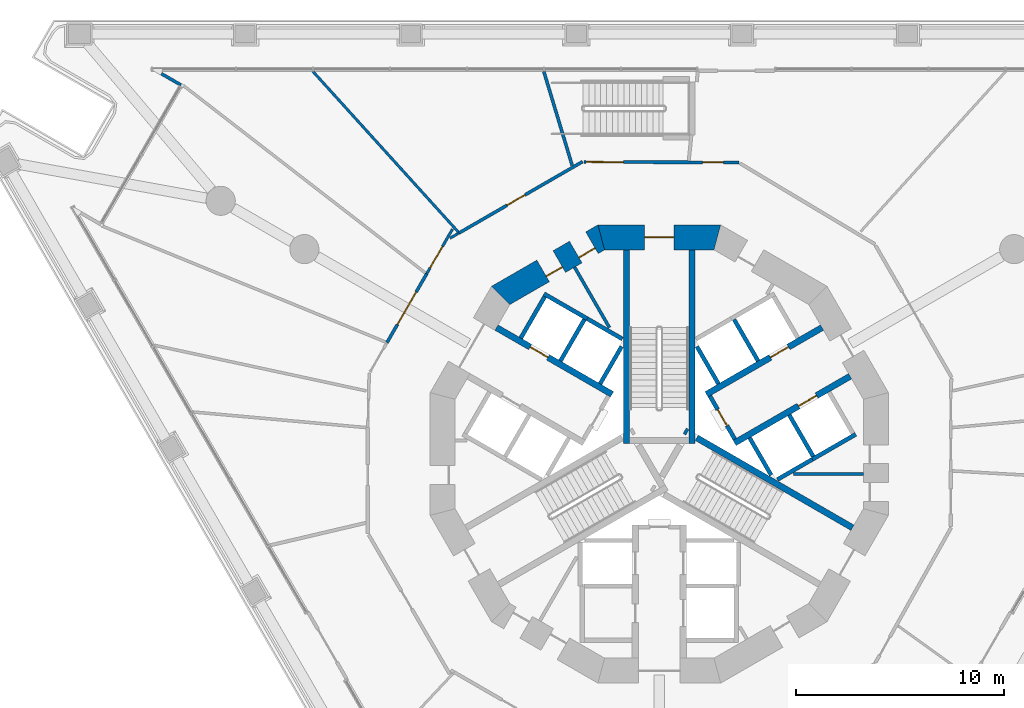
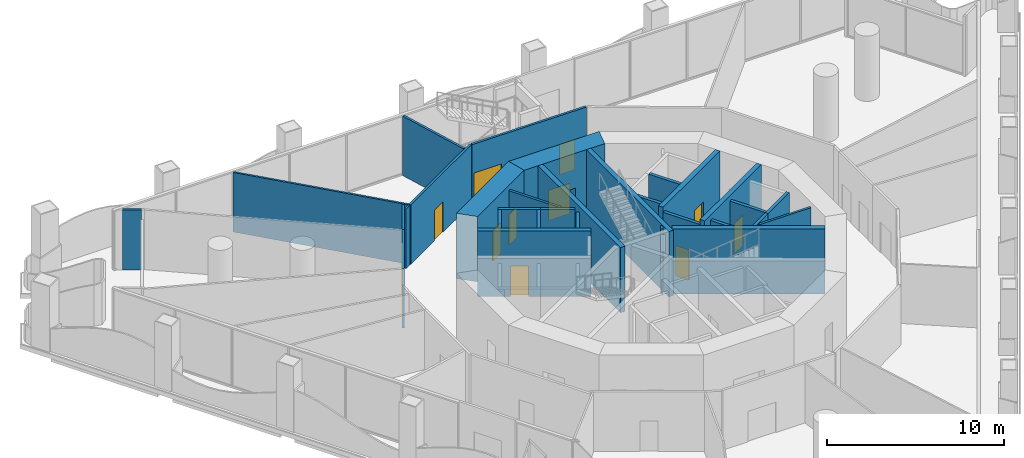
# One storey, part 12 of 22: 31 walls, 12 doors, 12 openings.
"""IFC4 building model written with IfcOpenShell, lengths in metres."""

from ifc_helpers import new_model, si_unit, direction, frame, frame_2d, origin, place, context, subcontext, project, spatial, polyline, rectangle, outline, extrude, material, layer, layer_set, type_object, element, fill, save


model = new_model("IFC4")

# Units and contexts
model_context = context("Model", 3, precision=1e-05, world=origin(), true_north=direction((0.0, 1.0)))
body_context = subcontext(model_context, "Body", "Model", "MODEL_VIEW")
ifc_project = project(units=[si_unit("LENGTHUNIT", "METRE"), si_unit("AREAUNIT", "SQUARE_METRE"), si_unit("VOLUMEUNIT", "CUBIC_METRE"), si_unit("PLANEANGLEUNIT", "RADIAN"), si_unit("MASSUNIT", "GRAM", prefix="KILO")], contexts=[model_context])

# Site, building, storey
site_placement = place(None, origin())
site = spatial("IfcSite", under=ifc_project, at=site_placement, CompositionType="ELEMENT")
building_placement = place(site_placement, origin())
building = spatial("IfcBuilding", under=site, at=building_placement, Name="Trine Commons Tower", CompositionType="ELEMENT")
storey_placement = place(building_placement, frame((0.0, 0.0, 22.5)))
storey = spatial("IfcBuildingStorey", under=building, at=storey_placement, Name="L04", CompositionType="ELEMENT", Elevation=22.5)

# Wall, opening, door
ifc_material_1 = material(Name="Plasterboard on steel stud", Category="steel")
ifc_layer_1 = layer(ifc_material_1, 0.14990234375)
ifc_layer_set_1 = layer_set([ifc_layer_1], Name="Plasterboard on steel stud")
wall_type_1 = type_object("IfcWallType", Name="Compartment wall 150 mm, EI 60", PredefinedType="PARTITIONING", material=ifc_layer_set_1)
wall_1_placement = place(storey_placement, frame((66.91259765625, 67.85498046875, 0.0), z_axis=(0.0, 0.0, 1.0), x_axis=(0.49999591573, 0.866027761826, 0.0)))
wall_1 = element("IfcWall", 1, at=wall_1_placement, inside=storey, type_object=wall_type_1, Name="Partition P4012", PredefinedType="PARTITIONING", context=body_context, shape_type="SweptSolid", body=[
    extrude(rectangle(XDim=3.8125, YDim=0.14990234375, at=frame_2d((1.90625, 0.0))), origin(), (0.0, 0.0, 1.0), 4.10009765625),
])
opening_1_placement = place(wall_1_placement, frame((1.00634765625, 0.0, 0.0)))
opening_1 = element("IfcOpeningElement", 2, at=opening_1_placement, cuts=wall_1, Name="Opening D-P405", PredefinedType="OPENING", context=body_context, shape_type="SweptSolid", body=[
    extrude(rectangle(XDim=1.800048828125, YDim=2.10009765625, at=frame_2d((0.89990234375, 1.050048828125))), frame((0.0, 0.0849609375, 0.0), z_axis=(0.0, -1.0, 0.0), x_axis=(1.0, 0.0, 0.0)), (0.0, 0.0, 1.0), 0.169921875),
])
ifc_material_2 = material(Name="Timber fire door set", Category="wood")
door_type_1 = type_object("IfcDoorType", Name="Double swing door 1800x2100, FD30S", OperationType="DOUBLE_DOOR_DOUBLE_SWING", PredefinedType="DOOR", material=ifc_material_2)
door_1_placement = place(opening_1_placement, origin())
door_1 = element("IfcDoor", 3, at=door_1_placement, inside=storey, type_object=door_type_1, Name="Door D-P405", OperationType="DOUBLE_DOOR_DOUBLE_SWING", OverallHeight=2.10009765625, OverallWidth=1.800048828125, PredefinedType="DOOR", context=body_context, shape_type="SweptSolid", body=[
    extrude(rectangle(XDim=1.800048828125, YDim=2.10009765625, at=frame_2d((0.89990234375, 1.050048828125))), frame((0.0, 0.02490234375, 0.0), z_axis=(0.0, -1.0, 0.0), x_axis=(1.0, 0.0, 0.0)), (0.0, 0.0, 1.0), 0.050048828125),
])
fill(opening_1, door_1)

wall_2_placement = place(storey_placement, frame((70.3798828125, 73.125, 0.0), z_axis=(0.0, 0.0, 1.0), x_axis=(0.866025291697, 0.50000019414, 0.0)))
wall_2 = element("IfcWall", 4, at=wall_2_placement, inside=storey, type_object=wall_type_1, Name="Partition P4017", PredefinedType="PARTITIONING", context=body_context, shape_type="SweptSolid", body=[
    extrude(rectangle(XDim=6.84814453125, YDim=0.14990234375, at=frame_2d((3.424072265625, 0.0))), origin(), (0.0, 0.0, 1.0), 4.10009765625),
])
opening_2_placement = place(wall_2_placement, frame((2.6533203125, 0.0, 0.0)))
opening_2 = element("IfcOpeningElement", 5, at=opening_2_placement, cuts=wall_2, Name="Opening D-P408", PredefinedType="OPENING", context=body_context, shape_type="SweptSolid", body=[
    extrude(rectangle(XDim=1.0, YDim=2.10009765625, at=frame_2d((0.5, 1.050048828125))), frame((0.0, 0.0849609375, 0.0), z_axis=(0.0, -1.0, 0.0), x_axis=(1.0, 0.0, 0.0)), (0.0, 0.0, 1.0), 0.169921875),
])
door_type_2 = type_object("IfcDoorType", Name="Single swing door 1000x2100, FD30S", OperationType="SINGLE_SWING_LEFT", PredefinedType="DOOR", material=ifc_material_2)
door_2_placement = place(opening_2_placement, origin())
door_2 = element("IfcDoor", 6, at=door_2_placement, inside=storey, type_object=door_type_2, Name="Door D-P408", OperationType="SINGLE_SWING_LEFT", OverallHeight=2.10009765625, OverallWidth=1.0, PredefinedType="DOOR", context=body_context, shape_type="SweptSolid", body=[
    extrude(rectangle(XDim=1.0, YDim=2.10009765625, at=frame_2d((0.5, 1.050048828125))), frame((0.0, 0.02490234375, 0.0), z_axis=(0.0, -1.0, 0.0), x_axis=(1.0, 0.0, 0.0)), (0.0, 0.0, 1.0), 0.050048828125),
])
fill(opening_2, door_2)

# Wall
wall_3_placement = place(storey_placement, frame((74.451416015625, 80.884521484375, 0.0), z_axis=(0.0, 0.0, 1.0), x_axis=(0.288924037908, -0.957352025286, 0.0)))
element("IfcWall", 7, at=wall_3_placement, inside=storey, type_object=wall_type_1, Name="Partition P4019", PredefinedType="PARTITIONING", context=body_context, shape_type="SweptSolid", body=[
    extrude(rectangle(XDim=4.716796875, YDim=0.14990234375, at=frame_2d((2.3583984375, 0.0))), origin(), (0.0, 0.0, 1.0), 4.10009765625),
])

# Wall, openings, doors
wall_4_placement = place(storey_placement, frame((76.379638671875, 76.537109375, 0.0), z_axis=(0.0, 0.0, 1.0), x_axis=(0.999994079663, -0.003441023083, 0.0)))
wall_4 = element("IfcWall", 8, at=wall_4_placement, inside=storey, type_object=wall_type_1, Name="Partition P4022", PredefinedType="PARTITIONING", context=body_context, shape_type="SweptSolid", body=[
    extrude(rectangle(XDim=7.44970703125, YDim=0.14990234375, at=frame_2d((3.724853515625, 0.0))), origin(), (0.0, 0.0, 1.0), 4.10009765625),
])
opening_3_placement = place(wall_4_placement, frame((0.10009765625, 0.0, 0.0)))
opening_3 = element("IfcOpeningElement", 9, at=opening_3_placement, cuts=wall_4, Name="Opening D-P411", PredefinedType="OPENING", context=body_context, shape_type="SweptSolid", body=[
    extrude(rectangle(XDim=1.800048828125, YDim=2.10009765625, at=frame_2d((0.89990234375, 1.050048828125))), frame((0.0, 0.0849609375, 0.0), z_axis=(0.0, -1.0, 0.0), x_axis=(1.0, 0.0, 0.0)), (0.0, 0.0, 1.0), 0.169921875),
])
opening_4_placement = place(wall_4_placement, frame((5.702392578125, 0.0, 0.0)))
opening_4 = element("IfcOpeningElement", 10, at=opening_4_placement, cuts=wall_4, Name="Opening D-P412", PredefinedType="OPENING", context=body_context, shape_type="SweptSolid", body=[
    extrude(rectangle(XDim=1.0, YDim=2.10009765625, at=frame_2d((0.5, 1.050048828125))), frame((0.0, 0.0849609375, 0.0), z_axis=(0.0, -1.0, 0.0), x_axis=(1.0, 0.0, 0.0)), (0.0, 0.0, 1.0), 0.169921875),
])
door_3_placement = place(opening_3_placement, origin())
door_3 = element("IfcDoor", 11, at=door_3_placement, inside=storey, type_object=door_type_1, Name="Door D-P411", OperationType="DOUBLE_DOOR_DOUBLE_SWING", OverallHeight=2.10009765625, OverallWidth=1.800048828125, PredefinedType="DOOR", context=body_context, shape_type="SweptSolid", body=[
    extrude(rectangle(XDim=1.800048828125, YDim=2.10009765625, at=frame_2d((0.89990234375, 1.050048828125))), frame((0.0, 0.02490234375, 0.0), z_axis=(0.0, -1.0, 0.0), x_axis=(1.0, 0.0, 0.0)), (0.0, 0.0, 1.0), 0.050048828125),
])
fill(opening_3, door_3)
door_4_placement = place(opening_4_placement, origin())
door_4 = element("IfcDoor", 12, at=door_4_placement, inside=storey, type_object=door_type_2, Name="Door D-P412", OperationType="SINGLE_SWING_LEFT", OverallHeight=2.10009765625, OverallWidth=1.0, PredefinedType="DOOR", context=body_context, shape_type="SweptSolid", body=[
    extrude(rectangle(XDim=1.0, YDim=2.10009765625, at=frame_2d((0.5, 1.050048828125))), frame((0.0, 0.02490234375, 0.0), z_axis=(0.0, -1.0, 0.0), x_axis=(1.0, 0.0, 0.0)), (0.0, 0.0, 1.0), 0.050048828125),
])
fill(opening_4, door_4)

# Walls
ifc_material_3 = material(Name="Plasterboard partition on steel studs", Category="steel")
ifc_layer_2 = layer(ifc_material_3, 0.14990234375)
ifc_layer_set_2 = layer_set([ifc_layer_2], Name="Plasterboard partition on steel studs")
wall_type_2 = type_object("IfcWallType", Name="Core room partition 150 mm, EI 60", PredefinedType="PARTITIONING", material=ifc_layer_set_2)
wall_5_placement = place(storey_placement, frame((75.928955078125, 71.47900390625, 0.0), z_axis=(0.0, 0.0, 1.0), x_axis=(0.499985139611, -0.866033983264, 0.0)))
element("IfcWall", 13, at=wall_5_placement, inside=storey, type_object=wall_type_2, Name="Core room partition L04", PredefinedType="PARTITIONING", context=body_context, shape_type="SweptSolid", body=[
    extrude(rectangle(XDim=3.35205078125, YDim=0.14990234375, at=frame_2d((1.676025390625, 0.0))), origin(), (0.0, 0.0, 1.0), 4.14990234375),
])
wall_6_placement = place(storey_placement, frame((89.81201171875, 61.537109375, 0.0), z_axis=(0.0, 0.0, 1.0), x_axis=(-1.0, 0.0, 0.0)))
element("IfcWall", 14, at=wall_6_placement, inside=storey, type_object=wall_type_2, Name="Core room partition L04", PredefinedType="PARTITIONING", context=body_context, shape_type="SweptSolid", body=[
    extrude(rectangle(XDim=3.35107421875, YDim=0.14990234375, at=frame_2d((1.675537109375, 0.0))), origin(), (0.0, 0.0, 1.0), 4.14990234375),
])
ifc_material_4 = material(Name="Aluminium-framed insulated wall panel", Category="aluminium")
ifc_layer_3 = layer(ifc_material_4, 0.14990234375)
ifc_layer_set_3 = layer_set([ifc_layer_3], Name="Aluminium-framed insulated wall panel")
wall_type_3 = type_object("IfcWallType", Name="Glazed frame wall 150, EI 60", PredefinedType="SOLIDWALL", material=ifc_layer_set_3)
wall_7_placement = place(storey_placement, frame((57.104248046875, 80.181884765625, 0.0), z_axis=(0.0, 0.0, 1.0), x_axis=(-0.86606770004, 0.49992673358, 0.0)))
element("IfcWall", 15, at=wall_7_placement, inside=storey, type_object=wall_type_3, Name="Glazed frame wall L04 R3", PredefinedType="SOLIDWALL", context=body_context, shape_type="SweptSolid", body=[
    extrude(outline(polyline([(0.110107421875, 0.074951171875), (0.110107421875, -0.074951171875), (1.19580078125, -0.074951171875), (1.19580078125, 0.074951171875), (0.110107421875, 0.074951171875)])), origin(), (0.0, 0.0, 1.0), 4.14990234375),
])

# Wall, opening, door
ifc_material_5 = material(Name="Fire-rated gypsum shaft wall system")
ifc_layer_4 = layer(ifc_material_5, 0.199951171875)
ifc_layer_set_4 = layer_set([ifc_layer_4], Name="Fire-rated gypsum shaft wall system")
wall_type_4 = type_object("IfcWallType", Name="Lobby end wall 200 mm, EI 120", PredefinedType="PARTITIONING", material=ifc_layer_set_4)
wall_8_placement = place(storey_placement, frame((83.631103515625, 63.2109375, 0.0), z_axis=(0.0, 0.0, 1.0), x_axis=(-0.50012165622, 0.865955154139, 0.0)))
wall_8 = element("IfcWall", 16, at=wall_8_placement, inside=storey, type_object=wall_type_4, Name="Lobby end wall L04", PredefinedType="PARTITIONING", context=body_context, shape_type="SweptSolid", body=[
    extrude(rectangle(XDim=2.39990234375, YDim=0.199951171875, at=frame_2d((1.199951171875, 0.0))), origin(), (0.0, 0.0, 1.0), 4.14990234375),
])
opening_5_placement = place(wall_8_placement, frame((0.749755859375, 0.0, 0.0)))
opening_5 = element("IfcOpeningElement", 17, at=opening_5_placement, cuts=wall_8, Name="Opening K07.05", PredefinedType="OPENING", context=body_context, shape_type="SweptSolid", body=[
    extrude(rectangle(XDim=0.89990234375, YDim=2.10009765625, at=frame_2d((0.449951171875, 1.050048828125))), frame((0.0, 0.10986328125, 0.0), z_axis=(0.0, -1.0, 0.0), x_axis=(1.0, 0.0, 0.0)), (0.0, 0.0, 1.0), 0.219970703125),
])
ifc_material_6 = material(Name="Steel door leaf, fire-rated", Category="steel")
door_type_3 = type_object("IfcDoorType", Name="Riser access door, single leaf 900 x 2100, FD60", OperationType="SINGLE_SWING_LEFT", PredefinedType="DOOR", material=ifc_material_6)
door_5_placement = place(opening_5_placement, frame((0.89990234375, 0.0, 0.0), z_axis=(0.0, 0.0, 1.0), x_axis=(-1.0, 0.0, 0.0)))
door_5 = element("IfcDoor", 18, at=door_5_placement, inside=storey, type_object=door_type_3, Name="Riser door, Electrical riser L04", OperationType="SINGLE_SWING_LEFT", OverallHeight=2.10009765625, OverallWidth=0.89990234375, PredefinedType="DOOR", context=body_context, shape_type="SweptSolid", body=[
    extrude(rectangle(XDim=0.89990234375, YDim=2.10009765625, at=frame_2d((0.449951171875, 1.050048828125))), frame((0.0, 0.02490234375, 0.0), z_axis=(0.0, -1.0, 0.0), x_axis=(1.0, 0.0, 0.0)), (0.0, 0.0, 1.0), 0.050048828125),
])
fill(opening_5, door_5)

ifc_material_7 = material(Name="Concrete C80/95", Category="concrete")
ifc_layer_5 = layer(ifc_material_7, 1.199951171875)
ifc_layer_set_5 = layer_set([ifc_layer_5], Name="Concrete C80/95")
wall_type_5 = type_object("IfcWallType", Name="RC shear wall 1200 mm, C80/95", PredefinedType="SHEAR", material=ifc_layer_set_5)
wall_9_placement = place(storey_placement, frame((82.950439453125, 72.91162109375, 0.0), z_axis=(0.0, 0.0, 1.0), x_axis=(-1.0, 0.0, 0.0)))
wall_9 = element("IfcWall", 19, at=wall_9_placement, inside=storey, type_object=wall_type_5, Name="Core wall CWA-04 L04", PredefinedType="SHEAR", context=body_context, shape_type="SweptSolid", body=[
    extrude(outline(polyline([(0.0, -0.60009765625), (5.90087890625, -0.60009765625), (5.57958984375, 0.60009765625), (0.321533203125, 0.60009765625), (0.0, -0.60009765625)])), origin(), (0.0, 0.0, 1.0), 4.5),
])
opening_6_placement = place(wall_9_placement, frame((2.25048828125, 0.0, 0.0)))
opening_6 = element("IfcOpeningElement", 20, at=opening_6_placement, cuts=wall_9, Name="Opening K07.01", PredefinedType="OPENING", context=body_context, shape_type="SweptSolid", body=[
    extrude(rectangle(XDim=1.39990234375, YDim=2.10009765625, at=frame_2d((0.699951171875, 1.050048828125))), frame((0.0, 0.60986328125, 0.0), z_axis=(0.0, -1.0, 0.0), x_axis=(1.0, 0.0, 0.0)), (0.0, 0.0, 1.0), 1.219970703125),
])
ifc_material_8 = material(Name="Steel door leaves, fire-rated", Category="steel")
door_type_4 = type_object("IfcDoorType", Name="Stair door, double leaf 1400 x 2100, FD90", OperationType="DOUBLE_DOOR_SINGLE_SWING", PredefinedType="DOOR", material=ifc_material_8)
door_6_placement = place(opening_6_placement, origin())
door_6 = element("IfcDoor", 21, at=door_6_placement, inside=storey, type_object=door_type_4, Name="Stair door to Exit stair ST1A L04", OperationType="DOUBLE_DOOR_SINGLE_SWING", OverallHeight=2.10009765625, OverallWidth=1.39990234375, PredefinedType="DOOR", context=body_context, shape_type="SweptSolid", body=[
    extrude(rectangle(XDim=1.39990234375, YDim=2.10009765625, at=frame_2d((0.699951171875, 1.050048828125))), frame((0.0, 0.02490234375, 0.0), z_axis=(0.0, -1.0, 0.0), x_axis=(1.0, 0.0, 0.0)), (0.0, 0.0, 1.0), 0.050048828125),
])
fill(opening_6, door_6)

# Wall, openings, doors
wall_10_placement = place(storey_placement, frame((77.349609375, 72.991943359375, 0.0), z_axis=(0.0, 0.0, 1.0), x_axis=(-0.866037463336, -0.499979111662, 0.0)))
wall_10 = element("IfcWall", 22, at=wall_10_placement, inside=storey, type_object=wall_type_5, Name="Core wall CWA-05 L04", PredefinedType="SHEAR", context=body_context, shape_type="SweptSolid", body=[
    extrude(outline(polyline([(0.0, -0.60009765625), (5.901123046875, -0.60009765625), (5.57958984375, 0.60009765625), (0.321533203125, 0.60009765625), (0.0, -0.60009765625)])), origin(), (0.0, 0.0, 1.0), 4.5),
])
opening_7_placement = place(wall_10_placement, frame((0.6748046875, 0.0, 0.0)))
opening_7 = element("IfcOpeningElement", 23, at=opening_7_placement, cuts=wall_10, Name="Opening K07.12", PredefinedType="OPENING", context=body_context, shape_type="SweptSolid", body=[
    extrude(rectangle(XDim=0.89990234375, YDim=2.10009765625, at=frame_2d((0.449951171875, 1.050048828125))), frame((0.0, 0.60986328125, 0.0), z_axis=(0.0, -1.0, 0.0), x_axis=(1.0, 0.0, 0.0)), (0.0, 0.0, 1.0), 1.219970703125),
])
opening_8_placement = place(wall_10_placement, frame((2.48681640625, 0.0, 0.0)))
opening_8 = element("IfcOpeningElement", 24, at=opening_8_placement, cuts=wall_10, Name="Opening K07.13", PredefinedType="OPENING", context=body_context, shape_type="SweptSolid", body=[
    extrude(rectangle(XDim=0.89990234375, YDim=2.10009765625, at=frame_2d((0.449951171875, 1.050048828125))), frame((0.0, 0.60986328125, 0.0), z_axis=(0.0, -1.0, 0.0), x_axis=(1.0, 0.0, 0.0)), (0.0, 0.0, 1.0), 1.219970703125),
])
door_type_5 = type_object("IfcDoorType", Name="Core room door, single leaf 900 x 2100, FD30S", OperationType="SINGLE_SWING_LEFT", PredefinedType="DOOR", material=ifc_material_6)
door_7_placement = place(opening_7_placement, origin())
door_7 = element("IfcDoor", 25, at=door_7_placement, inside=storey, type_object=door_type_5, Name="Door to Pantry L04", OperationType="SINGLE_SWING_LEFT", OverallHeight=2.10009765625, OverallWidth=0.89990234375, PredefinedType="DOOR", context=body_context, shape_type="SweptSolid", body=[
    extrude(rectangle(XDim=0.89990234375, YDim=2.10009765625, at=frame_2d((0.449951171875, 1.050048828125))), frame((0.0, 0.3251953125, 0.0), z_axis=(0.0, -1.0, 0.0), x_axis=(1.0, 0.0, 0.0)), (0.0, 0.0, 1.0), 0.050048828125),
])
fill(opening_7, door_7)
door_8_placement = place(opening_8_placement, origin())
door_8 = element("IfcDoor", 26, at=door_8_placement, inside=storey, type_object=door_type_5, Name="Door to Comms room L04", OperationType="SINGLE_SWING_LEFT", OverallHeight=2.10009765625, OverallWidth=0.89990234375, PredefinedType="DOOR", context=body_context, shape_type="SweptSolid", body=[
    extrude(rectangle(XDim=0.89990234375, YDim=2.10009765625, at=frame_2d((0.449951171875, 1.050048828125))), frame((0.0, 0.3251953125, 0.0), z_axis=(0.0, -1.0, 0.0), x_axis=(1.0, 0.0, 0.0)), (0.0, 0.0, 1.0), 0.050048828125),
])
fill(opening_8, door_8)

# Wall, opening, door
ifc_layer_6 = layer(ifc_material_7, 0.300048828125)
ifc_layer_set_6 = layer_set([ifc_layer_6], Name="Concrete C80/95")
wall_type_6 = type_object("IfcWallType", Name="RC shear wall 300 mm, C80/95", PredefinedType="SHEAR", material=ifc_layer_set_6)
wall_11_placement = place(storey_placement, frame((77.73095703125, 65.368896484375, 0.0), z_axis=(0.0, 0.0, 1.0), x_axis=(-0.866022631842, 0.500004801114, 0.0)))
wall_11 = element("IfcWall", 27, at=wall_11_placement, inside=storey, type_object=wall_type_6, Name="Core cross wall SWA-02 L04", PredefinedType="SHEAR", context=body_context, shape_type="SweptSolid", body=[
    extrude(rectangle(XDim=6.412109375, YDim=0.300048828125, at=frame_2d((3.2060546875, 0.0))), origin(), (0.0, 0.0, 1.0), 4.5),
])
opening_9_placement = place(wall_11_placement, frame((3.55029296875, 0.0, 0.0)))
opening_9 = element("IfcOpeningElement", 28, at=opening_9_placement, cuts=wall_11, Name="Opening LD4", PredefinedType="OPENING", context=body_context, shape_type="SweptSolid", body=[
    extrude(rectangle(XDim=1.0, YDim=2.10009765625, at=frame_2d((0.5, 1.050048828125))), frame((0.0, 0.159912109375, 0.0), z_axis=(0.0, -1.0, 0.0), x_axis=(1.0, 0.0, 0.0)), (0.0, 0.0, 1.0), 0.320068359375),
])
ifc_material_9 = material(Name="Stainless steel sliding door leaves", Category="steel")
door_type_6 = type_object("IfcDoorType", Name="Lift landing door, centre-opening sliding 1000 x 2100, FD90", OperationType="DOUBLE_DOOR_SLIDING", PredefinedType="DOOR", material=ifc_material_9)
door_9_placement = place(opening_9_placement, origin())
door_9 = element("IfcDoor", 29, at=door_9_placement, inside=storey, type_object=door_type_6, Name="Lift landing door LR4 L04", OperationType="DOUBLE_DOOR_SLIDING", OverallHeight=2.10009765625, OverallWidth=1.0, PredefinedType="DOOR", context=body_context, shape_type="SweptSolid", body=[
    extrude(rectangle(XDim=1.0, YDim=2.10009765625, at=frame_2d((0.5, 1.050048828125))), frame((0.0, 0.02490234375, 0.0), z_axis=(0.0, -1.0, 0.0), x_axis=(1.0, 0.0, 0.0)), (0.0, 0.0, 1.0), 0.050048828125),
])
fill(opening_9, door_9)

wall_12_placement = place(storey_placement, frame((82.26904296875, 65.368896484375, 0.0), z_axis=(0.0, 0.0, 1.0), x_axis=(0.866022631842, 0.500004801114, 0.0)))
wall_12 = element("IfcWall", 30, at=wall_12_placement, inside=storey, type_object=wall_type_6, Name="Core cross wall SWA-05 L04", PredefinedType="SHEAR", context=body_context, shape_type="SweptSolid", body=[
    extrude(rectangle(XDim=6.412109375, YDim=0.300048828125, at=frame_2d((3.2060546875, 0.0))), origin(), (0.0, 0.0, 1.0), 4.5),
])
opening_10_placement = place(wall_12_placement, frame((3.55029296875, 0.0, 0.0)))
opening_10 = element("IfcOpeningElement", 31, at=opening_10_placement, cuts=wall_12, Name="Opening LD1", PredefinedType="OPENING", context=body_context, shape_type="SweptSolid", body=[
    extrude(rectangle(XDim=1.0, YDim=2.10009765625, at=frame_2d((0.5, 1.050048828125))), frame((0.0, 0.159912109375, 0.0), z_axis=(0.0, -1.0, 0.0), x_axis=(1.0, 0.0, 0.0)), (0.0, 0.0, 1.0), 0.320068359375),
])
door_10_placement = place(opening_10_placement, origin())
door_10 = element("IfcDoor", 32, at=door_10_placement, inside=storey, type_object=door_type_6, Name="Lift landing door LR1 L04", OperationType="DOUBLE_DOOR_SLIDING", OverallHeight=2.10009765625, OverallWidth=1.0, PredefinedType="DOOR", context=body_context, shape_type="SweptSolid", body=[
    extrude(rectangle(XDim=1.0, YDim=2.10009765625, at=frame_2d((0.5, 1.050048828125))), frame((0.0, 0.02490234375, 0.0), z_axis=(0.0, -1.0, 0.0), x_axis=(1.0, 0.0, 0.0)), (0.0, 0.0, 1.0), 0.050048828125),
])
fill(opening_10, door_10)

wall_13_placement = place(storey_placement, frame((83.618896484375, 63.031005859375, 0.0), z_axis=(0.0, 0.0, 1.0), x_axis=(0.866032150378, 0.499988314375, 0.0)))
wall_13 = element("IfcWall", 33, at=wall_13_placement, inside=storey, type_object=wall_type_6, Name="Core cross wall SWA-06 L04", PredefinedType="SHEAR", context=body_context, shape_type="SweptSolid", body=[
    extrude(rectangle(XDim=6.412353515625, YDim=0.300048828125, at=frame_2d((3.2060546875, 0.0))), origin(), (0.0, 0.0, 1.0), 4.5),
])
opening_11_placement = place(wall_13_placement, frame((3.55029296875, 0.0, 0.0)))
opening_11 = element("IfcOpeningElement", 34, at=opening_11_placement, cuts=wall_13, Name="Opening LD2", PredefinedType="OPENING", context=body_context, shape_type="SweptSolid", body=[
    extrude(rectangle(XDim=1.0, YDim=2.10009765625, at=frame_2d((0.5, 1.050048828125))), frame((0.0, 0.159912109375, 0.0), z_axis=(0.0, -1.0, 0.0), x_axis=(1.0, 0.0, 0.0)), (0.0, 0.0, 1.0), 0.320068359375),
])
door_11_placement = place(opening_11_placement, origin())
door_11 = element("IfcDoor", 35, at=door_11_placement, inside=storey, type_object=door_type_6, Name="Lift landing door LR2 L04", OperationType="DOUBLE_DOOR_SLIDING", OverallHeight=2.10009765625, OverallWidth=1.0, PredefinedType="DOOR", context=body_context, shape_type="SweptSolid", body=[
    extrude(rectangle(XDim=1.0, YDim=2.10009765625, at=frame_2d((0.5, 1.050048828125))), frame((0.0, 0.02490234375, 0.0), z_axis=(0.0, -1.0, 0.0), x_axis=(1.0, 0.0, 0.0)), (0.0, 0.0, 1.0), 0.050048828125),
])
fill(opening_11, door_11)

# Walls
wall_14_placement = place(storey_placement, frame((78.425048828125, 63.0009765625, 0.0), z_axis=(0.0, 0.0, 1.0), x_axis=(0.0, 1.0, 0.0)))
element("IfcWall", 36, at=wall_14_placement, inside=storey, type_object=wall_type_6, Name="Core cross wall SWA-08 L04", PredefinedType="SHEAR", context=body_context, shape_type="SweptSolid", body=[
    extrude(rectangle(XDim=9.31103515625, YDim=0.300048828125, at=frame_2d((4.655517578125, 0.0))), origin(), (0.0, 0.0, 1.0), 4.5),
])
wall_15_placement = place(storey_placement, frame((81.220947265625, 63.614013671875, 0.0), z_axis=(0.0, 0.0, 1.0), x_axis=(0.867737973955, -0.497021939713, 0.0)))
element("IfcWall", 37, at=wall_15_placement, inside=storey, type_object=wall_type_6, Name="Core cross wall SWA-15 L04", PredefinedType="SHEAR", context=body_context, shape_type="SweptSolid", body=[
    extrude(rectangle(XDim=0.14892578125, YDim=0.300048828125, at=frame_2d((0.074462890625, 0.0))), origin(), (0.0, 0.0, 1.0), 4.5),
])
wall_16_placement = place(storey_placement, frame((81.574951171875, 63.0009765625, 0.0), z_axis=(0.0, 0.0, 1.0), x_axis=(0.0, 1.0, 0.0)))
element("IfcWall", 38, at=wall_16_placement, inside=storey, type_object=wall_type_6, Name="Core cross wall SWA-17 L04", PredefinedType="SHEAR", context=body_context, shape_type="SweptSolid", body=[
    extrude(rectangle(XDim=9.31103515625, YDim=0.300048828125, at=frame_2d((4.655517578125, 0.0))), origin(), (0.0, 0.0, 1.0), 4.5),
])
wall_17_placement = place(storey_placement, frame((81.800048828125, 63.280029296875, 0.0), z_axis=(0.0, 0.0, 1.0), x_axis=(0.865965399159, -0.500103916661, 0.0)))
element("IfcWall", 39, at=wall_17_placement, inside=storey, type_object=wall_type_6, Name="Core cross wall SWA-18 L04", PredefinedType="SHEAR", context=body_context, shape_type="SweptSolid", body=[
    extrude(rectangle(XDim=8.642333984375, YDim=0.300048828125, at=frame_2d((4.3212890625, 0.0))), origin(), (0.0, 0.0, 1.0), 4.5),
])
ifc_layer_7 = layer(ifc_material_5, 0.199951171875)
ifc_layer_set_7 = layer_set([ifc_layer_7], Name="Fire-rated gypsum shaft wall system")
wall_type_7 = type_object("IfcWallType", Name="Shaft wall 200 mm, EI 120", PredefinedType="PARTITIONING", material=ifc_layer_set_7)
wall_18_placement = place(storey_placement, frame((73.344970703125, 68.073974609375, 0.0), z_axis=(0.0, 0.0, 1.0), x_axis=(0.500215680983, 0.865900844496, 0.0)))
element("IfcWall", 40, at=wall_18_placement, inside=storey, type_object=wall_type_7, Name="Shaft wall L04", PredefinedType="PARTITIONING", context=body_context, shape_type="SweptSolid", body=[
    extrude(rectangle(XDim=2.29931640625, YDim=0.199951171875, at=frame_2d((1.149658203125, 0.0))), origin(), (0.0, 0.0, 1.0), 4.14990234375),
])
wall_19_placement = place(storey_placement, frame((75.2509765625, 66.97412109375, 0.0), z_axis=(0.0, 0.0, 1.0), x_axis=(0.500136062276, 0.86594683394, 0.0)))
element("IfcWall", 41, at=wall_19_placement, inside=storey, type_object=wall_type_7, Name="Shaft wall L04", PredefinedType="PARTITIONING", context=body_context, shape_type="SweptSolid", body=[
    extrude(rectangle(XDim=2.299072265625, YDim=0.199951171875, at=frame_2d((1.1494140625, 0.0))), origin(), (0.0, 0.0, 1.0), 4.14990234375),
])
wall_20_placement = place(storey_placement, frame((76.5380859375, 69.001953125, 0.0), z_axis=(0.0, 0.0, 1.0), x_axis=(-0.866202511239, 0.499693115345, 0.0)))
element("IfcWall", 42, at=wall_20_placement, inside=storey, type_object=wall_type_7, Name="Shaft wall L04", PredefinedType="PARTITIONING", context=body_context, shape_type="SweptSolid", body=[
    extrude(rectangle(XDim=2.4013671875, YDim=0.199951171875, at=frame_2d((1.20068359375, 0.0))), origin(), (0.0, 0.0, 1.0), 4.14990234375),
])
wall_21_placement = place(storey_placement, frame((77.156005859375, 65.8740234375, 0.0), z_axis=(0.0, 0.0, 1.0), x_axis=(0.499865770674, 0.866102887253, 0.0)))
element("IfcWall", 43, at=wall_21_placement, inside=storey, type_object=wall_type_7, Name="Shaft wall L04", PredefinedType="PARTITIONING", context=body_context, shape_type="SweptSolid", body=[
    extrude(rectangle(XDim=2.064453125, YDim=0.199951171875, at=frame_2d((1.0322265625, 0.0))), origin(), (0.0, 0.0, 1.0), 4.14990234375),
])
wall_22_placement = place(storey_placement, frame((78.22509765625, 68.028076171875, 0.0), z_axis=(0.0, 0.0, 1.0), x_axis=(-0.866052014814, 0.499953905513, 0.0)))
element("IfcWall", 44, at=wall_22_placement, inside=storey, type_object=wall_type_7, Name="Shaft wall L04", PredefinedType="PARTITIONING", context=body_context, shape_type="SweptSolid", body=[
    extrude(rectangle(XDim=1.947998046875, YDim=0.199951171875, at=frame_2d((0.97412109375, 0.0))), origin(), (0.0, 0.0, 1.0), 4.14990234375),
])
wall_23_placement = place(storey_placement, frame((82.843994140625, 65.8740234375, 0.0), z_axis=(0.0, 0.0, 1.0), x_axis=(-0.499865770674, 0.866102887253, 0.0)))
element("IfcWall", 45, at=wall_23_placement, inside=storey, type_object=wall_type_7, Name="Shaft wall L04", PredefinedType="PARTITIONING", context=body_context, shape_type="SweptSolid", body=[
    extrude(rectangle(XDim=2.064453125, YDim=0.199951171875, at=frame_2d((1.0322265625, 0.0))), origin(), (0.0, 0.0, 1.0), 4.14990234375),
])
wall_24_placement = place(storey_placement, frame((84.343994140625, 63.27587890625, 0.0), z_axis=(0.0, 0.0, 1.0), x_axis=(0.500271688072, -0.86586848777, 0.0)))
element("IfcWall", 46, at=wall_24_placement, inside=storey, type_object=wall_type_7, Name="Shaft wall L04", PredefinedType="PARTITIONING", context=body_context, shape_type="SweptSolid", body=[
    extrude(rectangle(XDim=2.064697265625, YDim=0.199951171875, at=frame_2d((1.0322265625, 0.0))), origin(), (0.0, 0.0, 1.0), 4.14990234375),
])
wall_25_placement = place(storey_placement, frame((84.7490234375, 66.97412109375, 0.0), z_axis=(0.0, 0.0, 1.0), x_axis=(-0.500136062276, 0.86594683394, 0.0)))
element("IfcWall", 47, at=wall_25_placement, inside=storey, type_object=wall_type_7, Name="Shaft wall L04", PredefinedType="PARTITIONING", context=body_context, shape_type="SweptSolid", body=[
    extrude(rectangle(XDim=2.299072265625, YDim=0.199951171875, at=frame_2d((1.1494140625, 0.0))), origin(), (0.0, 0.0, 1.0), 4.14990234375),
])
wall_26_placement = place(storey_placement, frame((85.675048828125, 61.27294921875, 0.0), z_axis=(0.0, 0.0, 1.0), x_axis=(0.865780634835, 0.500423712812, 0.0)))
element("IfcWall", 48, at=wall_26_placement, inside=storey, type_object=wall_type_7, Name="Shaft wall L04", PredefinedType="PARTITIONING", context=body_context, shape_type="SweptSolid", body=[
    extrude(rectangle(XDim=1.948486328125, YDim=0.199951171875, at=frame_2d((0.97412109375, 0.0))), origin(), (0.0, 0.0, 1.0), 4.14990234375),
])
wall_27_placement = place(storey_placement, frame((86.2490234375, 64.3759765625, 0.0), z_axis=(0.0, 0.0, 1.0), x_axis=(0.500136062276, -0.86594683394, 0.0)))
element("IfcWall", 49, at=wall_27_placement, inside=storey, type_object=wall_type_7, Name="Shaft wall L04", PredefinedType="PARTITIONING", context=body_context, shape_type="SweptSolid", body=[
    extrude(rectangle(XDim=2.299072265625, YDim=0.199951171875, at=frame_2d((1.1494140625, 0.0))), origin(), (0.0, 0.0, 1.0), 4.14990234375),
])
wall_28_placement = place(storey_placement, frame((87.362060546875, 62.248046875, 0.0), z_axis=(0.0, 0.0, 1.0), x_axis=(0.866177122335, 0.499737123639, 0.0)))
element("IfcWall", 50, at=wall_28_placement, inside=storey, type_object=wall_type_7, Name="Shaft wall L04", PredefinedType="PARTITIONING", context=body_context, shape_type="SweptSolid", body=[
    extrude(rectangle(XDim=2.401123046875, YDim=0.199951171875, at=frame_2d((1.20068359375, 0.0))), origin(), (0.0, 0.0, 1.0), 4.14990234375),
])
ifc_layer_8 = layer(ifc_material_1, 0.125)
ifc_layer_set_8 = layer_set([ifc_layer_8], Name="Plasterboard on steel stud")
wall_type_8 = type_object("IfcWallType", Name="Wet wall 125 mm stud, not rated", PredefinedType="PARTITIONING", material=ifc_layer_set_8)
wall_29_placement = place(storey_placement, frame((63.354736328125, 80.884521484375, 0.0), z_axis=(0.0, 0.0, 1.0), x_axis=(0.671180407759, -0.741294044385, 0.0)))
element("IfcWall", 51, at=wall_29_placement, inside=storey, type_object=wall_type_8, Name="Partition P4006", PredefinedType="PARTITIONING", context=body_context, shape_type="SweptSolid", body=[
    extrude(rectangle(XDim=10.52978515625, YDim=0.125, at=frame_2d((5.264892578125, 0.0))), origin(), (0.0, 0.0, 1.0), 4.10009765625),
])

# Wall, opening, door
wall_30_placement = place(storey_placement, frame((68.818603515625, 71.15625, 0.0), z_axis=(0.0, 0.0, 1.0), x_axis=(0.499995303914, 0.866028115054, 0.0)))
wall_30 = element("IfcWall", 52, at=wall_30_placement, inside=storey, type_object=wall_type_8, Name="Partition P4013", PredefinedType="PARTITIONING", context=body_context, shape_type="SweptSolid", body=[
    extrude(rectangle(XDim=2.478515625, YDim=0.125, at=frame_2d((1.2392578125, 0.0))), origin(), (0.0, 0.0, 1.0), 4.10009765625),
])
opening_12_placement = place(wall_30_placement, frame((0.32421875, 0.0, 0.0)))
opening_12 = element("IfcOpeningElement", 53, at=opening_12_placement, cuts=wall_30, Name="Opening D-P406", PredefinedType="OPENING", context=body_context, shape_type="SweptSolid", body=[
    extrude(rectangle(XDim=1.199951171875, YDim=2.10009765625, at=frame_2d((0.60009765625, 1.050048828125))), frame((0.0, 0.072509765625, 0.0), z_axis=(0.0, -1.0, 0.0), x_axis=(1.0, 0.0, 0.0)), (0.0, 0.0, 1.0), 0.14501953125),
])
ifc_material_10 = material(Name="Painted timber", Category="wood")
door_type_7 = type_object("IfcDoorType", Name="Single swing door 1200x2100, not rated", OperationType="SINGLE_SWING_LEFT", PredefinedType="DOOR", material=ifc_material_10)
door_12_placement = place(opening_12_placement, origin())
door_12 = element("IfcDoor", 54, at=door_12_placement, inside=storey, type_object=door_type_7, Name="Door D-P406", OperationType="SINGLE_SWING_LEFT", OverallHeight=2.10009765625, OverallWidth=1.199951171875, PredefinedType="DOOR", context=body_context, shape_type="SweptSolid", body=[
    extrude(rectangle(XDim=1.199951171875, YDim=2.10009765625, at=frame_2d((0.60009765625, 1.050048828125))), frame((0.0, 0.02490234375, 0.0), z_axis=(0.0, -1.0, 0.0), x_axis=(1.0, 0.0, 0.0)), (0.0, 0.0, 1.0), 0.050048828125),
])
fill(opening_12, door_12)

# Wall
wall_31_placement = place(storey_placement, frame((69.94482421875, 72.873779296875, 0.0), z_axis=(0.0, 0.0, 1.0), x_axis=(0.866080460733, 0.49990462644, 0.0)))
element("IfcWall", 55, at=wall_31_placement, inside=storey, type_object=wall_type_8, Name="Partition P4015", PredefinedType="PARTITIONING", context=body_context, shape_type="SweptSolid", body=[
    extrude(rectangle(XDim=0.42529296875, YDim=0.125, at=frame_2d((0.212646484375, 0.0))), origin(), (0.0, 0.0, 1.0), 4.10009765625),
])

save(model, "model.ifc")
